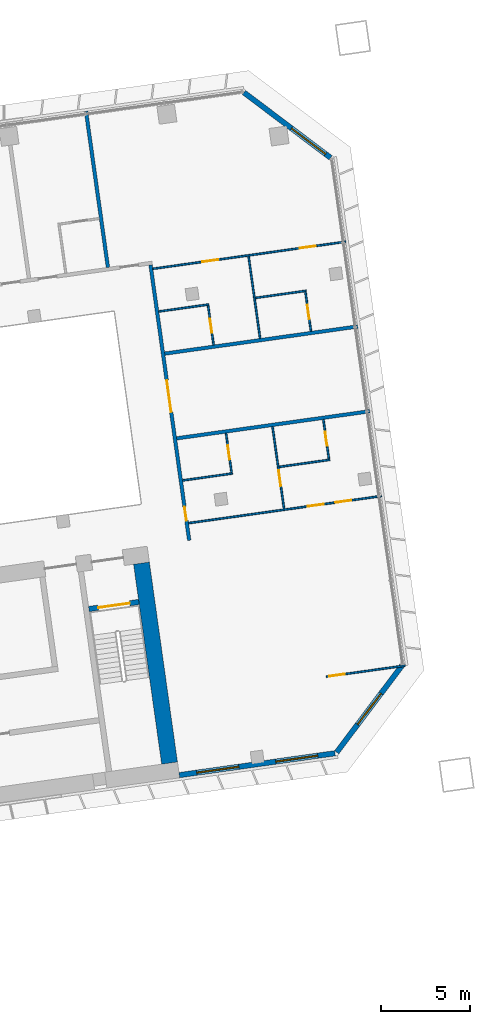
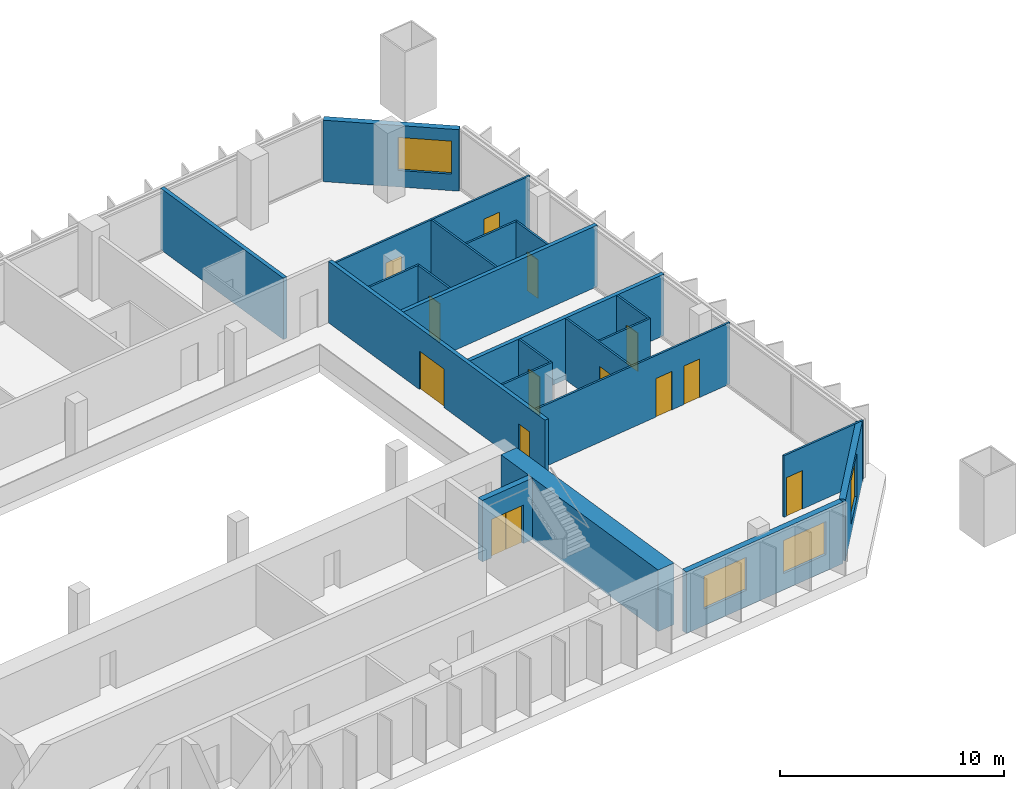
# One storey, part 21 of 24: 22 walls, 13 doors, 4 windows, 17 openings.
"""IFC4 building model written with IfcOpenShell, lengths in metres."""

from ifc_helpers import new_model, si_unit, direction, frame, frame_2d, origin, place, context, subcontext, project, spatial, rectangle, extrude, material, layer, layer_set, type_object, element, fill, save


model = new_model("IFC4")

# Units and contexts
model_context = context("Model", 3, precision=1e-05, world=origin(), true_north=direction((0.0, 1.0)))
body_context = subcontext(model_context, "Body", "Model", "MODEL_VIEW")
ifc_project = project(units=[si_unit("LENGTHUNIT", "METRE"), si_unit("AREAUNIT", "SQUARE_METRE"), si_unit("VOLUMEUNIT", "CUBIC_METRE"), si_unit("PLANEANGLEUNIT", "RADIAN"), si_unit("MASSUNIT", "GRAM", prefix="KILO")], contexts=[model_context])

# Site, building, storey
site_placement = place(None, origin())
site = spatial("IfcSite", under=ifc_project, at=site_placement, CompositionType="ELEMENT")
building_placement = place(site_placement, origin())
building = spatial("IfcBuilding", under=site, at=building_placement, Name="Mirante Cascada Hotel Towers", CompositionType="ELEMENT")
storey_placement = place(building_placement, frame((0.0, 0.0, 77.5)))
storey = spatial("IfcBuildingStorey", under=building, at=storey_placement, Name="L16", CompositionType="ELEMENT", Elevation=77.5)

# Walls
ifc_material_1 = material(Name="Fire-rated plasterboard on metal studs")
ifc_layer_1 = layer(ifc_material_1, 0.2)
ifc_layer_set_1 = layer_set([ifc_layer_1], Name="Compartment wall 200 EI 120")
wall_type_1 = type_object("IfcWallType", Name="Compartment wall 200 EI 120", PredefinedType="PARTITIONING", material=ifc_layer_set_1)
for number, where, z_axis, x_axis, name in (
    (1, (101.2993, 8.0205, 0.0), (0.0, 0.0, 1.0), (-0.990268, -0.1391733, 0.0), "Wall 2-L16-08"),
    (2, (89.7337, 11.2758, 0.0), (0.0, 0.0, 1.0), (0.990268, 0.1391733, 0.0), "Wall 2-L16-09"),
):
    element("IfcWall", number, at=place(storey_placement, frame(where, z_axis=z_axis, x_axis=x_axis)), inside=storey, type_object=wall_type_1, Name=name, PredefinedType="PARTITIONING", context=body_context, shape_type="SweptSolid", body=[
        extrude(rectangle(XDim=11.0, YDim=0.2, at=frame_2d((5.5, 0.0))), origin(), (0.0, 0.0, 1.0), 3.35),
    ])
wall_1_placement = place(storey_placement, frame((85.2864, 24.9567, 0.0), z_axis=(0.0, 0.0, 1.0), x_axis=(0.1391684, -0.9902687, 0.0)))
element("IfcWall", 3, at=wall_1_placement, inside=storey, type_object=wall_type_1, Name="Wall 2-L16-40", PredefinedType="PARTITIONING", context=body_context, shape_type="SweptSolid", body=[
    extrude(rectangle(XDim=8.9, YDim=0.2, at=frame_2d((4.45, 0.0))), origin(), (0.0, 0.0, 1.0), 3.35),
])

# Wall, openings, doors
wall_2_placement = place(storey_placement, frame((91.1145, 0.7321, 0.0), z_axis=(0.0, 0.0, 1.0), x_axis=(-0.1391721, 0.9902682, 0.0)))
wall_2 = element("IfcWall", 4, at=wall_2_placement, inside=storey, type_object=wall_type_1, Name="Wall 2-L16-41", PredefinedType="PARTITIONING", context=body_context, shape_type="SweptSolid", body=[
    extrude(rectangle(XDim=15.7, YDim=0.2, at=frame_2d((7.85, 0.0))), origin(), (0.0, 0.0, 1.0), 3.35),
])
opening_1_placement = place(wall_2_placement, frame((1.1167, 0.0, 0.0)))
opening_1 = element("IfcOpeningElement", 5, at=opening_1_placement, cuts=wall_2, Name="Opening D2-L16-25", PredefinedType="OPENING", context=body_context, shape_type="SweptSolid", body=[
    extrude(rectangle(XDim=0.8, YDim=2.1, at=frame_2d((0.4, 1.05))), frame((0.0, 0.1, 0.0), z_axis=(0.0, -1.0, 0.0), x_axis=(1.0, 0.0, 0.0)), (0.0, 0.0, 1.0), 0.2),
])
opening_2_placement = place(wall_2_placement, frame((7.3167, 0.0, 0.0)))
opening_2 = element("IfcOpeningElement", 6, at=opening_2_placement, cuts=wall_2, Name="Opening D2-L16-26", PredefinedType="OPENING", context=body_context, shape_type="SweptSolid", body=[
    extrude(rectangle(XDim=1.8, YDim=2.1, at=frame_2d((0.9, 1.05))), frame((0.0, 0.1, 0.0), z_axis=(0.0, -1.0, 0.0), x_axis=(1.0, 0.0, 0.0)), (0.0, 0.0, 1.0), 0.2),
])
ifc_material_2 = material(Name="Fire-rated timber door leaf", Category="wood")
door_type_1 = type_object("IfcDoorType", Name="Bathroom door DG4 800x2100 EI 60", OperationType="SINGLE_SWING_LEFT", PredefinedType="DOOR", material=ifc_material_2)
door_1_placement = place(opening_1_placement, origin())
door_1 = element("IfcDoor", 7, at=door_1_placement, inside=storey, type_object=door_type_1, Name="Door D2-L16-25", OperationType="SINGLE_SWING_LEFT", OverallHeight=2.1, OverallWidth=0.8, PredefinedType="DOOR", context=body_context, shape_type="SweptSolid", body=[
    extrude(rectangle(XDim=0.8, YDim=2.1, at=frame_2d((0.4, 1.05))), frame((0.0, 0.025, 0.0), z_axis=(0.0, -1.0, 0.0), x_axis=(1.0, 0.0, 0.0)), (0.0, 0.0, 1.0), 0.05),
])
fill(opening_1, door_1)
ifc_material_3 = material(Name="Fire-rated timber door leaf", Category="wood")
door_type_2 = type_object("IfcDoorType", Name="Suite double door DG2 1800x2100 EI 60", OperationType="DOUBLE_DOOR_SINGLE_SWING", PredefinedType="DOOR", material=ifc_material_3)
door_2_placement = place(opening_2_placement, origin())
door_2 = element("IfcDoor", 8, at=door_2_placement, inside=storey, type_object=door_type_2, Name="Door D2-L16-26", OperationType="DOUBLE_DOOR_SINGLE_SWING", OverallHeight=2.1, OverallWidth=1.8, PredefinedType="DOOR", context=body_context, shape_type="SweptSolid", body=[
    extrude(rectangle(XDim=0.895, YDim=2.1, at=frame_2d((0.4475, 1.05))), frame((0.0, 0.025, 0.0), z_axis=(0.0, -1.0, 0.0), x_axis=(1.0, 0.0, 0.0)), (0.0, 0.0, 1.0), 0.05),
    extrude(rectangle(XDim=0.895, YDim=2.1, at=frame_2d((1.3525, 1.05))), frame((0.0, 0.025, 0.0), z_axis=(0.0, -1.0, 0.0), x_axis=(1.0, 0.0, 0.0)), (0.0, 0.0, 1.0), 0.05),
])
fill(opening_2, door_2)

# Wall, opening, door
ifc_material_4 = material(Name="Plasterboard on metal studs")
ifc_layer_2 = layer(ifc_material_4, 0.1)
ifc_layer_set_2 = layer_set([ifc_layer_2], Name="Partition 100")
wall_type_2 = type_object("IfcWallType", Name="Partition 100", PredefinedType="PARTITIONING", material=ifc_layer_set_2)
wall_3_placement = place(storey_placement, frame((98.8611, -6.9647, 0.0), z_axis=(0.0, 0.0, 1.0), x_axis=(0.9902674, 0.1391779, 0.0)))
wall_3 = element("IfcWall", 9, at=wall_3_placement, inside=storey, type_object=wall_type_2, Name="Wall 2-L16-01", PredefinedType="PARTITIONING", context=body_context, shape_type="SweptSolid", body=[
    extrude(rectangle(XDim=4.5, YDim=0.1, at=frame_2d((2.25, 0.0))), origin(), (0.0, 0.0, 1.0), 3.35),
])
opening_3_placement = place(wall_3_placement, frame((0.15, 0.0, 0.0)))
opening_3 = element("IfcOpeningElement", 10, at=opening_3_placement, cuts=wall_3, Name="Opening D2-L16-01", PredefinedType="OPENING", context=body_context, shape_type="SweptSolid", body=[
    extrude(rectangle(XDim=0.9, YDim=2.1, at=frame_2d((0.45, 1.05))), frame((0.0, 0.05, 0.0), z_axis=(0.0, -1.0, 0.0), x_axis=(1.0, 0.0, 0.0)), (0.0, 0.0, 1.0), 0.1),
])
ifc_material_5 = material(Name="Timber door leaf", Category="wood")
door_type_3 = type_object("IfcDoorType", Name="Room door DG3 900x2100", OperationType="SINGLE_SWING_LEFT", PredefinedType="DOOR", material=ifc_material_5)
door_3_placement = place(opening_3_placement, origin())
door_3 = element("IfcDoor", 11, at=door_3_placement, inside=storey, type_object=door_type_3, Name="Door D2-L16-01", OperationType="SINGLE_SWING_LEFT", OverallHeight=2.1, OverallWidth=0.9, PredefinedType="DOOR", context=body_context, shape_type="SweptSolid", body=[
    extrude(rectangle(XDim=0.9, YDim=2.1, at=frame_2d((0.45, 1.05))), frame((0.0, 0.025, 0.0), z_axis=(0.0, -1.0, 0.0), x_axis=(1.0, 0.0, 0.0)), (0.0, 0.0, 1.0), 0.05),
])
fill(opening_3, door_3)

# Wall, openings, doors
wall_4_placement = place(storey_placement, frame((101.972, 3.2342, 0.0), z_axis=(0.0, 0.0, 1.0), x_axis=(-0.9902682, -0.1391721, 0.0)))
wall_4 = element("IfcWall", 12, at=wall_4_placement, inside=storey, type_object=wall_type_2, Name="Wall 2-L16-02", PredefinedType="PARTITIONING", context=body_context, shape_type="SweptSolid", body=[
    extrude(rectangle(XDim=11.0001, YDim=0.1, at=frame_2d((5.5, 0.0))), origin(), (0.0, 0.0, 1.0), 3.35),
])
opening_4_placement = place(wall_4_placement, frame((3.3, 0.0, 0.0)))
opening_4 = element("IfcOpeningElement", 13, at=opening_4_placement, cuts=wall_4, Name="Opening D2-L16-02", PredefinedType="OPENING", context=body_context, shape_type="SweptSolid", body=[
    extrude(rectangle(XDim=0.9, YDim=2.1, at=frame_2d((0.45, 1.05))), frame((0.0, 0.05, 0.0), z_axis=(0.0, -1.0, 0.0), x_axis=(1.0, 0.0, 0.0)), (0.0, 0.0, 1.0), 0.1),
])
opening_5_placement = place(wall_4_placement, frame((1.725, 0.0, 0.0)))
opening_5 = element("IfcOpeningElement", 14, at=opening_5_placement, cuts=wall_4, Name="Opening D2-L16-03", PredefinedType="OPENING", context=body_context, shape_type="SweptSolid", body=[
    extrude(rectangle(XDim=0.9, YDim=2.1, at=frame_2d((0.45, 1.05))), frame((0.0, 0.05, 0.0), z_axis=(0.0, -1.0, 0.0), x_axis=(1.0, 0.0, 0.0)), (0.0, 0.0, 1.0), 0.1),
])
door_4_placement = place(opening_4_placement, origin())
door_4 = element("IfcDoor", 15, at=door_4_placement, inside=storey, type_object=door_type_3, Name="Door D2-L16-02", OperationType="SINGLE_SWING_LEFT", OverallHeight=2.1, OverallWidth=0.9, PredefinedType="DOOR", context=body_context, shape_type="SweptSolid", body=[
    extrude(rectangle(XDim=0.9, YDim=2.1, at=frame_2d((0.45, 1.05))), frame((0.0, 0.025, 0.0), z_axis=(0.0, -1.0, 0.0), x_axis=(1.0, 0.0, 0.0)), (0.0, 0.0, 1.0), 0.05),
])
fill(opening_4, door_4)
door_5_placement = place(opening_5_placement, origin())
door_5 = element("IfcDoor", 16, at=door_5_placement, inside=storey, type_object=door_type_3, Name="Door D2-L16-03", OperationType="SINGLE_SWING_LEFT", OverallHeight=2.1, OverallWidth=0.9, PredefinedType="DOOR", context=body_context, shape_type="SweptSolid", body=[
    extrude(rectangle(XDim=0.9, YDim=2.1, at=frame_2d((0.45, 1.05))), frame((0.0, 0.025, 0.0), z_axis=(0.0, -1.0, 0.0), x_axis=(1.0, 0.0, 0.0)), (0.0, 0.0, 1.0), 0.05),
])
fill(opening_5, door_5)

# Walls
wall_5_placement = place(storey_placement, frame((90.7404, 4.1129, 0.0), z_axis=(0.0, 0.0, 1.0), x_axis=(0.9902649, 0.1391957, 0.0)))
element("IfcWall", 17, at=wall_5_placement, inside=storey, type_object=wall_type_2, Name="Wall 2-L16-05", PredefinedType="PARTITIONING", context=body_context, shape_type="SweptSolid", body=[
    extrude(rectangle(XDim=2.8499, YDim=0.1, at=frame_2d((1.425, 0.0))), origin(), (0.0, 0.0, 1.0), 3.35),
])
wall_6_placement = place(storey_placement, frame((99.0586, 5.282, 0.0), z_axis=(0.0, 0.0, 1.0), x_axis=(-0.9902683, -0.1391714, 0.0)))
element("IfcWall", 18, at=wall_6_placement, inside=storey, type_object=wall_type_2, Name="Wall 2-L16-06", PredefinedType="PARTITIONING", context=body_context, shape_type="SweptSolid", body=[
    extrude(rectangle(XDim=2.9, YDim=0.1, at=frame_2d((1.45, 0.0))), origin(), (0.0, 0.0, 1.0), 3.35),
])
wall_7_placement = place(storey_placement, frame((92.2219, 14.0491, 0.0), z_axis=(0.0, 0.0, 1.0), x_axis=(-0.9902697, -0.1391613, 0.0)))
element("IfcWall", 19, at=wall_7_placement, inside=storey, type_object=wall_type_2, Name="Wall 2-L16-10", PredefinedType="PARTITIONING", context=body_context, shape_type="SweptSolid", body=[
    extrude(rectangle(XDim=2.8499, YDim=0.1, at=frame_2d((1.425, 0.0))), origin(), (0.0, 0.0, 1.0), 3.35),
])
wall_8_placement = place(storey_placement, frame((94.8461, 14.4179, 0.0), z_axis=(0.0, 0.0, 1.0), x_axis=(0.9902683, 0.1391714, 0.0)))
element("IfcWall", 20, at=wall_8_placement, inside=storey, type_object=wall_type_2, Name="Wall 2-L16-11", PredefinedType="PARTITIONING", context=body_context, shape_type="SweptSolid", body=[
    extrude(rectangle(XDim=2.9, YDim=0.1, at=frame_2d((1.45, 0.0))), origin(), (0.0, 0.0, 1.0), 3.35),
])

# Wall, openings, doors
wall_9_placement = place(storey_placement, frame((99.954, 17.5931, 0.0), z_axis=(0.0, 0.0, 1.0), x_axis=(-0.9902682, -0.1391721, 0.0)))
wall_9 = element("IfcWall", 21, at=wall_9_placement, inside=storey, type_object=wall_type_2, Name="Wall 2-L16-12", PredefinedType="PARTITIONING", context=body_context, shape_type="SweptSolid", body=[
    extrude(rectangle(XDim=11.0001, YDim=0.1, at=frame_2d((5.5, 0.0))), origin(), (0.0, 0.0, 1.0), 3.35),
])
opening_6_placement = place(wall_9_placement, frame((7.275, 0.0, 0.0)))
opening_6 = element("IfcOpeningElement", 22, at=opening_6_placement, cuts=wall_9, Name="Opening D2-L16-05", PredefinedType="OPENING", context=body_context, shape_type="SweptSolid", body=[
    extrude(rectangle(XDim=0.9, YDim=2.1, at=frame_2d((0.45, 1.05))), frame((0.0, 0.05, 0.0), z_axis=(0.0, -1.0, 0.0), x_axis=(1.0, 0.0, 0.0)), (0.0, 0.0, 1.0), 0.1),
])
opening_7_placement = place(wall_9_placement, frame((1.725, 0.0, 0.0)))
opening_7 = element("IfcOpeningElement", 23, at=opening_7_placement, cuts=wall_9, Name="Opening D2-L16-06", PredefinedType="OPENING", context=body_context, shape_type="SweptSolid", body=[
    extrude(rectangle(XDim=0.9, YDim=2.1, at=frame_2d((0.45, 1.05))), frame((0.0, 0.05, 0.0), z_axis=(0.0, -1.0, 0.0), x_axis=(1.0, 0.0, 0.0)), (0.0, 0.0, 1.0), 0.1),
])
door_6_placement = place(opening_6_placement, frame((0.9, 0.0, 0.0), z_axis=(0.0, 0.0, 1.0), x_axis=(-1.0, 0.0, 0.0)))
door_6 = element("IfcDoor", 24, at=door_6_placement, inside=storey, type_object=door_type_3, Name="Door D2-L16-05", OperationType="SINGLE_SWING_RIGHT", OverallHeight=2.1, OverallWidth=0.9, PredefinedType="DOOR", context=body_context, shape_type="SweptSolid", body=[
    extrude(rectangle(XDim=0.9, YDim=2.1, at=frame_2d((0.45, 1.05))), frame((0.0, 0.025, 0.0), z_axis=(0.0, -1.0, 0.0), x_axis=(1.0, 0.0, 0.0)), (0.0, 0.0, 1.0), 0.05),
])
fill(opening_6, door_6)
door_7_placement = place(opening_7_placement, frame((0.9, 0.0, 0.0), z_axis=(0.0, 0.0, 1.0), x_axis=(-1.0, 0.0, 0.0)))
door_7 = element("IfcDoor", 25, at=door_7_placement, inside=storey, type_object=door_type_3, Name="Door D2-L16-06", OperationType="SINGLE_SWING_RIGHT", OverallHeight=2.1, OverallWidth=0.9, PredefinedType="DOOR", context=body_context, shape_type="SweptSolid", body=[
    extrude(rectangle(XDim=0.9, YDim=2.1, at=frame_2d((0.45, 1.05))), frame((0.0, 0.025, 0.0), z_axis=(0.0, -1.0, 0.0), x_axis=(1.0, 0.0, 0.0)), (0.0, 0.0, 1.0), 0.05),
])
fill(opening_7, door_7)

# Wall, opening, door
wall_10_placement = place(storey_placement, frame((93.193, 6.7802, 0.0), z_axis=(0.0, 0.0, 1.0), x_axis=(0.1391997, -0.9902643, 0.0)))
wall_10 = element("IfcWall", 26, at=wall_10_placement, inside=storey, type_object=wall_type_2, Name="Wall 2-L16-42", PredefinedType="PARTITIONING", context=body_context, shape_type="SweptSolid", body=[
    extrude(rectangle(XDim=2.25, YDim=0.1, at=frame_2d((1.125, 0.0))), origin(), (0.0, 0.0, 1.0), 3.35),
])
opening_8_placement = place(wall_10_placement, frame((0.7, 0.0, 0.0)))
opening_8 = element("IfcOpeningElement", 27, at=opening_8_placement, cuts=wall_10, Name="Opening D2-L16-27", PredefinedType="OPENING", context=body_context, shape_type="SweptSolid", body=[
    extrude(rectangle(XDim=0.8, YDim=2.1, at=frame_2d((0.4, 1.05))), frame((0.0, 0.05, 0.0), z_axis=(0.0, -1.0, 0.0), x_axis=(1.0, 0.0, 0.0)), (0.0, 0.0, 1.0), 0.1),
])
ifc_material_6 = material(Name="Timber door leaf", Category="wood")
door_type_4 = type_object("IfcDoorType", Name="Bathroom door DG4 800x2100", OperationType="SINGLE_SWING_LEFT", PredefinedType="DOOR", material=ifc_material_6)
door_8_placement = place(opening_8_placement, frame((0.8, 0.0, 0.0), z_axis=(0.0, 0.0, 1.0), x_axis=(-1.0, 0.0, 0.0)))
door_8 = element("IfcDoor", 28, at=door_8_placement, inside=storey, type_object=door_type_4, Name="Door D2-L16-27", OperationType="SINGLE_SWING_RIGHT", OverallHeight=2.1, OverallWidth=0.8, PredefinedType="DOOR", context=body_context, shape_type="SweptSolid", body=[
    extrude(rectangle(XDim=0.8, YDim=2.1, at=frame_2d((0.4, 1.05))), frame((0.0, 0.025, 0.0), z_axis=(0.0, -1.0, 0.0), x_axis=(1.0, 0.0, 0.0)), (0.0, 0.0, 1.0), 0.05),
])
fill(opening_8, door_8)

wall_11_placement = place(storey_placement, frame((92.4925, 11.7645, 0.0), z_axis=(0.0, 0.0, 1.0), x_axis=(-0.1391561, 0.9902705, 0.0)))
wall_11 = element("IfcWall", 29, at=wall_11_placement, inside=storey, type_object=wall_type_2, Name="Wall 2-L16-43", PredefinedType="PARTITIONING", context=body_context, shape_type="SweptSolid", body=[
    extrude(rectangle(XDim=2.25, YDim=0.1, at=frame_2d((1.125, 0.0))), origin(), (0.0, 0.0, 1.0), 3.35),
])
opening_9_placement = place(wall_11_placement, frame((0.7, 0.0, 0.0)))
opening_9 = element("IfcOpeningElement", 30, at=opening_9_placement, cuts=wall_11, Name="Opening D2-L16-28", PredefinedType="OPENING", context=body_context, shape_type="SweptSolid", body=[
    extrude(rectangle(XDim=0.8, YDim=2.1, at=frame_2d((0.4, 1.05))), frame((0.0, 0.05, 0.0), z_axis=(0.0, -1.0, 0.0), x_axis=(1.0, 0.0, 0.0)), (0.0, 0.0, 1.0), 0.1),
])
door_9_placement = place(opening_9_placement, origin())
door_9 = element("IfcDoor", 31, at=door_9_placement, inside=storey, type_object=door_type_4, Name="Door D2-L16-28", OperationType="SINGLE_SWING_LEFT", OverallHeight=2.1, OverallWidth=0.8, PredefinedType="DOOR", context=body_context, shape_type="SweptSolid", body=[
    extrude(rectangle(XDim=0.8, YDim=2.1, at=frame_2d((0.4, 1.05))), frame((0.0, 0.025, 0.0), z_axis=(0.0, -1.0, 0.0), x_axis=(1.0, 0.0, 0.0)), (0.0, 0.0, 1.0), 0.05),
])
fill(opening_9, door_9)

wall_12_placement = place(storey_placement, frame((95.8172, 7.149, 0.0), z_axis=(0.0, 0.0, 1.0), x_axis=(0.139176, -0.9902677, 0.0)))
wall_12 = element("IfcWall", 32, at=wall_12_placement, inside=storey, type_object=wall_type_2, Name="Wall 2-L16-44", PredefinedType="PARTITIONING", context=body_context, shape_type="SweptSolid", body=[
    extrude(rectangle(XDim=4.6833, YDim=0.1, at=frame_2d((2.3416, 0.0))), origin(), (0.0, 0.0, 1.0), 3.35),
])
opening_10_placement = place(wall_12_placement, frame((2.4833, 0.0, 0.0)))
opening_10 = element("IfcOpeningElement", 33, at=opening_10_placement, cuts=wall_12, Name="Opening D2-L16-29", PredefinedType="OPENING", context=body_context, shape_type="SweptSolid", body=[
    extrude(rectangle(XDim=0.9, YDim=2.1, at=frame_2d((0.45, 1.05))), frame((0.0, 0.05, 0.0), z_axis=(0.0, -1.0, 0.0), x_axis=(1.0, 0.0, 0.0)), (0.0, 0.0, 1.0), 0.1),
])
door_10_placement = place(opening_10_placement, frame((0.9, 0.0, 0.0), z_axis=(0.0, 0.0, 1.0), x_axis=(-1.0, 0.0, 0.0)))
door_10 = element("IfcDoor", 34, at=door_10_placement, inside=storey, type_object=door_type_3, Name="Door D2-L16-29", OperationType="SINGLE_SWING_RIGHT", OverallHeight=2.1, OverallWidth=0.9, PredefinedType="DOOR", context=body_context, shape_type="SweptSolid", body=[
    extrude(rectangle(XDim=0.9, YDim=2.1, at=frame_2d((0.45, 1.05))), frame((0.0, 0.025, 0.0), z_axis=(0.0, -1.0, 0.0), x_axis=(1.0, 0.0, 0.0)), (0.0, 0.0, 1.0), 0.05),
])
fill(opening_10, door_10)

# Wall
wall_13_placement = place(storey_placement, frame((95.1167, 12.1333, 0.0), z_axis=(0.0, 0.0, 1.0), x_axis=(-0.1391701, 0.9902685, 0.0)))
element("IfcWall", 35, at=wall_13_placement, inside=storey, type_object=wall_type_2, Name="Wall 2-L16-45", PredefinedType="PARTITIONING", context=body_context, shape_type="SweptSolid", body=[
    extrude(rectangle(XDim=4.6835, YDim=0.1, at=frame_2d((2.3418, 0.0))), origin(), (0.0, 0.0, 1.0), 3.35),
])

# Wall, opening, door
wall_14_placement = place(storey_placement, frame((98.689, 7.5526, 0.0), z_axis=(0.0, 0.0, 1.0), x_axis=(0.1391561, -0.9902705, 0.0)))
wall_14 = element("IfcWall", 36, at=wall_14_placement, inside=storey, type_object=wall_type_2, Name="Wall 2-L16-46", PredefinedType="PARTITIONING", context=body_context, shape_type="SweptSolid", body=[
    extrude(rectangle(XDim=2.25, YDim=0.1, at=frame_2d((1.125, 0.0))), origin(), (0.0, 0.0, 1.0), 3.35),
])
opening_11_placement = place(wall_14_placement, frame((0.7, 0.0, 0.0)))
opening_11 = element("IfcOpeningElement", 37, at=opening_11_placement, cuts=wall_14, Name="Opening D2-L16-30", PredefinedType="OPENING", context=body_context, shape_type="SweptSolid", body=[
    extrude(rectangle(XDim=0.8, YDim=2.1, at=frame_2d((0.4, 1.05))), frame((0.0, 0.05, 0.0), z_axis=(0.0, -1.0, 0.0), x_axis=(1.0, 0.0, 0.0)), (0.0, 0.0, 1.0), 0.1),
])
door_11_placement = place(opening_11_placement, frame((0.8, 0.0, 0.0), z_axis=(0.0, 0.0, 1.0), x_axis=(-1.0, 0.0, 0.0)))
door_11 = element("IfcDoor", 38, at=door_11_placement, inside=storey, type_object=door_type_4, Name="Door D2-L16-30", OperationType="SINGLE_SWING_RIGHT", OverallHeight=2.1, OverallWidth=0.8, PredefinedType="DOOR", context=body_context, shape_type="SweptSolid", body=[
    extrude(rectangle(XDim=0.8, YDim=2.1, at=frame_2d((0.4, 1.05))), frame((0.0, 0.025, 0.0), z_axis=(0.0, -1.0, 0.0), x_axis=(1.0, 0.0, 0.0)), (0.0, 0.0, 1.0), 0.05),
])
fill(opening_11, door_11)

wall_15_placement = place(storey_placement, frame((97.9885, 12.5369, 0.0), z_axis=(0.0, 0.0, 1.0), x_axis=(-0.1391561, 0.9902705, 0.0)))
wall_15 = element("IfcWall", 39, at=wall_15_placement, inside=storey, type_object=wall_type_2, Name="Wall 2-L16-47", PredefinedType="PARTITIONING", context=body_context, shape_type="SweptSolid", body=[
    extrude(rectangle(XDim=2.25, YDim=0.1, at=frame_2d((1.125, 0.0))), origin(), (0.0, 0.0, 1.0), 3.35),
])
opening_12_placement = place(wall_15_placement, frame((0.7, 0.0, 0.0)))
opening_12 = element("IfcOpeningElement", 40, at=opening_12_placement, cuts=wall_15, Name="Opening D2-L16-31", PredefinedType="OPENING", context=body_context, shape_type="SweptSolid", body=[
    extrude(rectangle(XDim=0.8, YDim=2.1, at=frame_2d((0.4, 1.05))), frame((0.0, 0.05, 0.0), z_axis=(0.0, -1.0, 0.0), x_axis=(1.0, 0.0, 0.0)), (0.0, 0.0, 1.0), 0.1),
])
door_12_placement = place(opening_12_placement, origin())
door_12 = element("IfcDoor", 41, at=door_12_placement, inside=storey, type_object=door_type_4, Name="Door D2-L16-31", OperationType="SINGLE_SWING_LEFT", OverallHeight=2.1, OverallWidth=0.8, PredefinedType="DOOR", context=body_context, shape_type="SweptSolid", body=[
    extrude(rectangle(XDim=0.8, YDim=2.1, at=frame_2d((0.4, 1.05))), frame((0.0, 0.025, 0.0), z_axis=(0.0, -1.0, 0.0), x_axis=(1.0, 0.0, 0.0)), (0.0, 0.0, 1.0), 0.05),
])
fill(opening_12, door_12)

# Wall, openings, windows
ifc_material_7 = material(Name="Precast concrete C40/50", Category="concrete")
ifc_layer_3 = layer(ifc_material_7, 0.3)
ifc_layer_set_3 = layer_set([ifc_layer_3], Name="Precast concrete C40/50 cladding wall 300")
wall_type_3 = type_object("IfcWallType", Name="Precast concrete C40/50 cladding wall 300", PredefinedType="STANDARD", material=ifc_layer_set_3)
wall_16_placement = place(storey_placement, frame((90.5541, -12.5249, 0.0), z_axis=(0.0, 0.0, 1.0), x_axis=(0.9902678, 0.1391749, 0.0)))
wall_16 = element("IfcWall", 42, at=wall_16_placement, inside=storey, type_object=wall_type_3, Name="Rear cladding wall T2 L16 1", PredefinedType="STANDARD", context=body_context, shape_type="SweptSolid", body=[
    extrude(rectangle(XDim=8.8759, YDim=0.3, at=frame_2d((4.438, 0.0))), origin(), (0.0, 0.0, 1.0), 3.35),
])
opening_13_placement = place(wall_16_placement, frame((1.0012, 0.0, 0.9)))
opening_13 = element("IfcOpeningElement", 43, at=opening_13_placement, cuts=wall_16, Name="Opening W2-16-01", PredefinedType="OPENING", context=body_context, shape_type="SweptSolid", body=[
    extrude(rectangle(XDim=2.4, YDim=1.8, at=frame_2d((1.2, 0.9))), frame((0.0, 0.15, 0.0), z_axis=(0.0, -1.0, 0.0), x_axis=(1.0, 0.0, 0.0)), (0.0, 0.0, 1.0), 0.3),
])
opening_14_placement = place(wall_16_placement, frame((5.4923, 0.0, 0.9)))
opening_14 = element("IfcOpeningElement", 44, at=opening_14_placement, cuts=wall_16, Name="Opening W2-16-02", PredefinedType="OPENING", context=body_context, shape_type="SweptSolid", body=[
    extrude(rectangle(XDim=2.4, YDim=1.8, at=frame_2d((1.2, 0.9))), frame((0.0, 0.15, 0.0), z_axis=(0.0, -1.0, 0.0), x_axis=(1.0, 0.0, 0.0)), (0.0, 0.0, 1.0), 0.3),
])
ifc_material_8 = material(Name="Aluminium frame with clear double glazing", Category="aluminium")
window_type_1 = type_object("IfcWindowType", Name="Punched window 2400x1800", PartitioningType="DOUBLE_PANEL_VERTICAL", PredefinedType="WINDOW", material=ifc_material_8)
window_1_placement = place(opening_13_placement, origin())
window_1 = element("IfcWindow", 45, at=window_1_placement, inside=storey, type_object=window_type_1, Name="Window W2-16-01", OverallHeight=1.8, OverallWidth=2.4, PartitioningType="SINGLE_PANEL", PredefinedType="WINDOW", context=body_context, shape_type="SweptSolid", body=[
    extrude(rectangle(XDim=2.4, YDim=1.8, at=frame_2d((1.2, 0.9))), frame((0.0, 0.03, 0.0), z_axis=(0.0, -1.0, 0.0), x_axis=(1.0, 0.0, 0.0)), (0.0, 0.0, 1.0), 0.06),
])
fill(opening_13, window_1)
window_2_placement = place(opening_14_placement, origin())
window_2 = element("IfcWindow", 46, at=window_2_placement, inside=storey, type_object=window_type_1, Name="Window W2-16-02", OverallHeight=1.8, OverallWidth=2.4, PartitioningType="SINGLE_PANEL", PredefinedType="WINDOW", context=body_context, shape_type="SweptSolid", body=[
    extrude(rectangle(XDim=2.4, YDim=1.8, at=frame_2d((1.2, 0.9))), frame((0.0, 0.03, 0.0), z_axis=(0.0, -1.0, 0.0), x_axis=(1.0, 0.0, 0.0)), (0.0, 0.0, 1.0), 0.06),
])
fill(opening_14, window_2)

# Wall, opening, window
wall_17_placement = place(storey_placement, frame((99.4423, -11.2315, 0.0), z_axis=(0.0, 0.0, 1.0), x_axis=(0.6018141, 0.7986362, 0.0)))
wall_17 = element("IfcWall", 47, at=wall_17_placement, inside=storey, type_object=wall_type_3, Name="Corner cladding wall T2 L16 rear outer", PredefinedType="STANDARD", context=body_context, shape_type="SweptSolid", body=[
    extrude(rectangle(XDim=6.1157, YDim=0.3, at=frame_2d((3.0578, 0.0))), origin(), (0.0, 0.0, 1.0), 3.35),
])
opening_15_placement = place(wall_17_placement, frame((1.9578, 0.0, 0.6)))
opening_15 = element("IfcOpeningElement", 48, at=opening_15_placement, cuts=wall_17, Name="Opening W2-16-03", PredefinedType="OPENING", context=body_context, shape_type="SweptSolid", body=[
    extrude(rectangle(XDim=2.2, YDim=2.4, at=frame_2d((1.1, 1.2))), frame((0.0, 0.15, 0.0), z_axis=(0.0, -1.0, 0.0), x_axis=(1.0, 0.0, 0.0)), (0.0, 0.0, 1.0), 0.3),
])
ifc_material_9 = material(Name="Aluminium frame with clear double glazing", Category="aluminium")
window_type_2 = type_object("IfcWindowType", Name="Corner suite window 2200x2400", PartitioningType="DOUBLE_PANEL_VERTICAL", PredefinedType="WINDOW", material=ifc_material_9)
window_3_placement = place(opening_15_placement, origin())
window_3 = element("IfcWindow", 49, at=window_3_placement, inside=storey, type_object=window_type_2, Name="Window W2-16-03", OverallHeight=2.4, OverallWidth=2.2, PartitioningType="SINGLE_PANEL", PredefinedType="WINDOW", context=body_context, shape_type="SweptSolid", body=[
    extrude(rectangle(XDim=2.2, YDim=2.4, at=frame_2d((1.1, 1.2))), frame((0.0, 0.03, 0.0), z_axis=(0.0, -1.0, 0.0), x_axis=(1.0, 0.0, 0.0)), (0.0, 0.0, 1.0), 0.06),
])
fill(opening_15, window_3)

wall_18_placement = place(storey_placement, frame((99.0919, 22.3343, 0.0), z_axis=(0.0, 0.0, 1.0), x_axis=(-0.7986362, 0.6018141, 0.0)))
wall_18 = element("IfcWall", 50, at=wall_18_placement, inside=storey, type_object=wall_type_3, Name="Corner cladding wall T2 L16 outer front", PredefinedType="STANDARD", context=body_context, shape_type="SweptSolid", body=[
    extrude(rectangle(XDim=6.1157, YDim=0.3, at=frame_2d((3.0578, 0.0))), origin(), (0.0, 0.0, 1.0), 3.35),
])
opening_16_placement = place(wall_18_placement, frame((0.35, 0.0, 0.9)))
opening_16 = element("IfcOpeningElement", 51, at=opening_16_placement, cuts=wall_18, Name="Opening W2-16-06", PredefinedType="OPENING", context=body_context, shape_type="SweptSolid", body=[
    extrude(rectangle(XDim=2.4, YDim=1.8, at=frame_2d((1.2, 0.9))), frame((0.0, 0.15, 0.0), z_axis=(0.0, -1.0, 0.0), x_axis=(1.0, 0.0, 0.0)), (0.0, 0.0, 1.0), 0.3),
])
window_4_placement = place(opening_16_placement, origin())
window_4 = element("IfcWindow", 52, at=window_4_placement, inside=storey, type_object=window_type_1, Name="Window W2-16-06", OverallHeight=1.8, OverallWidth=2.4, PartitioningType="SINGLE_PANEL", PredefinedType="WINDOW", context=body_context, shape_type="SweptSolid", body=[
    extrude(rectangle(XDim=2.4, YDim=1.8, at=frame_2d((1.2, 0.9))), frame((0.0, 0.03, 0.0), z_axis=(0.0, -1.0, 0.0), x_axis=(1.0, 0.0, 0.0)), (0.0, 0.0, 1.0), 0.06),
])
fill(opening_16, window_4)

# Wall, opening, door
ifc_material_10 = material(Name="Concrete C50/60", Category="concrete")
ifc_layer_4 = layer(ifc_material_10, 0.3)
ifc_layer_set_4 = layer_set([ifc_layer_4], Name="RC core wall 300 C50/60")
wall_type_4 = type_object("IfcWallType", Name="RC core wall 300 C50/60", PredefinedType="SHEAR", material=ifc_layer_set_4)
wall_19_placement = place(storey_placement, frame((85.4489, -3.1441, 0.0), z_axis=(0.0, 0.0, 1.0), x_axis=(0.9902697, 0.1391613, 0.0)))
wall_19 = element("IfcWall", 53, at=wall_19_placement, inside=storey, type_object=wall_type_4, Name="Core wall T2:L16:11", PredefinedType="SHEAR", context=body_context, shape_type="SweptSolid", body=[
    extrude(rectangle(XDim=2.8499, YDim=0.3, at=frame_2d((1.425, 0.0))), origin(), (0.0, 0.0, 1.0), 3.35),
])
opening_17_placement = place(wall_19_placement, frame((0.525, 0.0, 0.0)))
opening_17 = element("IfcOpeningElement", 54, at=opening_17_placement, cuts=wall_19, Name="Opening D2-16-C17", PredefinedType="OPENING", context=body_context, shape_type="SweptSolid", body=[
    extrude(rectangle(XDim=1.8, YDim=2.1, at=frame_2d((0.9, 1.05))), frame((0.0, 0.15, 0.0), z_axis=(0.0, -1.0, 0.0), x_axis=(1.0, 0.0, 0.0)), (0.0, 0.0, 1.0), 0.3),
])
ifc_material_11 = material(Name="Hollow metal fire door leaf")
door_type_5 = type_object("IfcDoorType", Name="Double fire door 1800x2100 FD60", OperationType="DOUBLE_DOOR_SINGLE_SWING", PredefinedType="DOOR", material=ifc_material_11)
door_13_placement = place(opening_17_placement, frame((1.8, 0.0, 0.0), z_axis=(0.0, 0.0, 1.0), x_axis=(-1.0, 0.0, 0.0)))
door_13 = element("IfcDoor", 55, at=door_13_placement, inside=storey, type_object=door_type_5, Name="Stair door T2 L16 17", OperationType="DOUBLE_DOOR_SINGLE_SWING", OverallHeight=2.1, OverallWidth=1.8, PredefinedType="DOOR", context=body_context, shape_type="SweptSolid", body=[
    extrude(rectangle(XDim=0.895, YDim=2.1, at=frame_2d((0.4475, 1.05))), frame((0.0, 0.025, 0.0), z_axis=(0.0, -1.0, 0.0), x_axis=(1.0, 0.0, 0.0)), (0.0, 0.0, 1.0), 0.05),
    extrude(rectangle(XDim=0.895, YDim=2.1, at=frame_2d((1.3525, 1.05))), frame((0.0, 0.025, 0.0), z_axis=(0.0, -1.0, 0.0), x_axis=(1.0, 0.0, 0.0)), (0.0, 0.0, 1.0), 0.05),
])
fill(opening_17, door_13)

# Wall
ifc_material_12 = material(Name="Concrete C50/60", Category="concrete")
ifc_layer_5 = layer(ifc_material_12, 0.9)
ifc_layer_set_5 = layer_set([ifc_layer_5], Name="RC core wall 900 C50/60")
wall_type_5 = type_object("IfcWallType", Name="RC core wall 900 C50/60", PredefinedType="SHEAR", material=ifc_layer_set_5)
wall_20_placement = place(storey_placement, frame((90.0041, -11.8449, 0.0), z_axis=(0.0, 0.0, 1.0), x_axis=(-0.1391749, 0.9902678, 0.0)))
element("IfcWall", 56, at=wall_20_placement, inside=storey, type_object=wall_type_5, Name="Core wall T2:L16:4", PredefinedType="SHEAR", context=body_context, shape_type="SweptSolid", body=[
    extrude(rectangle(XDim=11.4, YDim=0.9, at=frame_2d((5.7, 0.0))), origin(), (0.0, 0.0, 1.0), 3.35),
])

save(model, "model.ifc")
